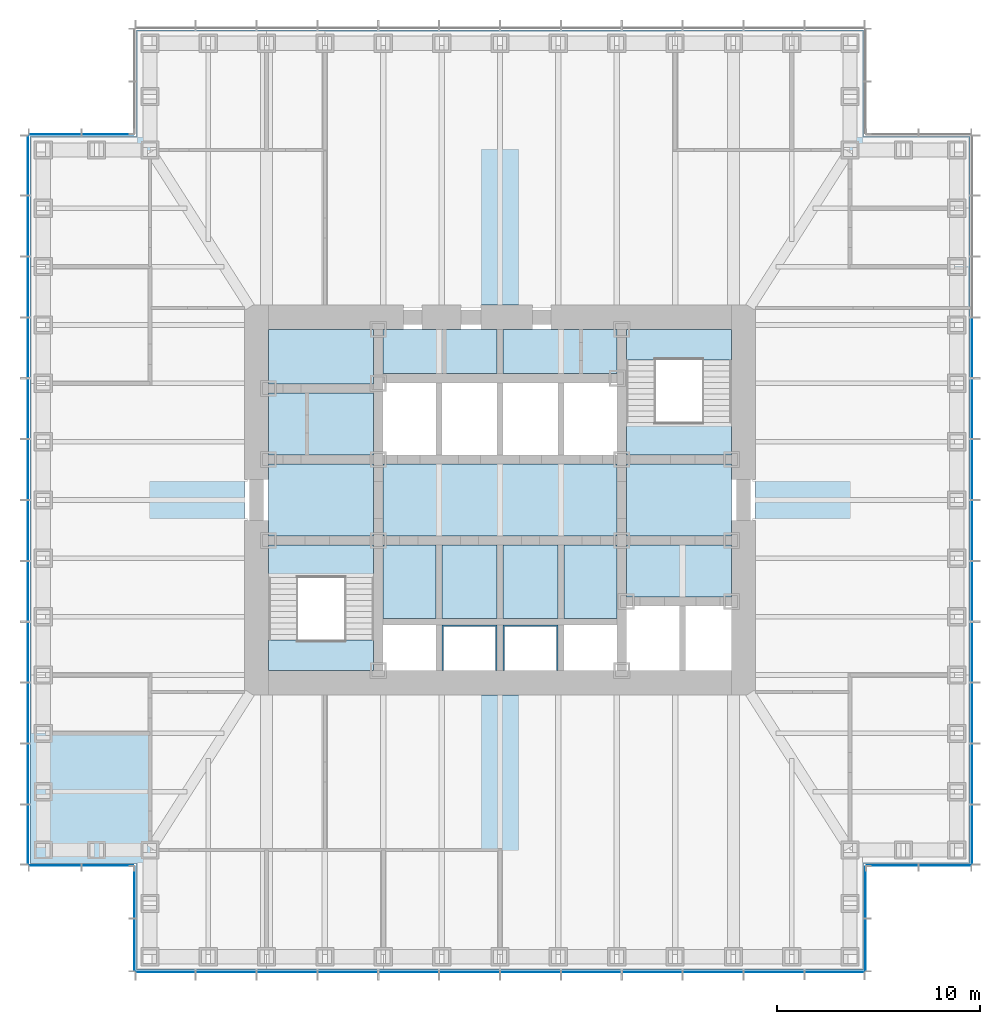
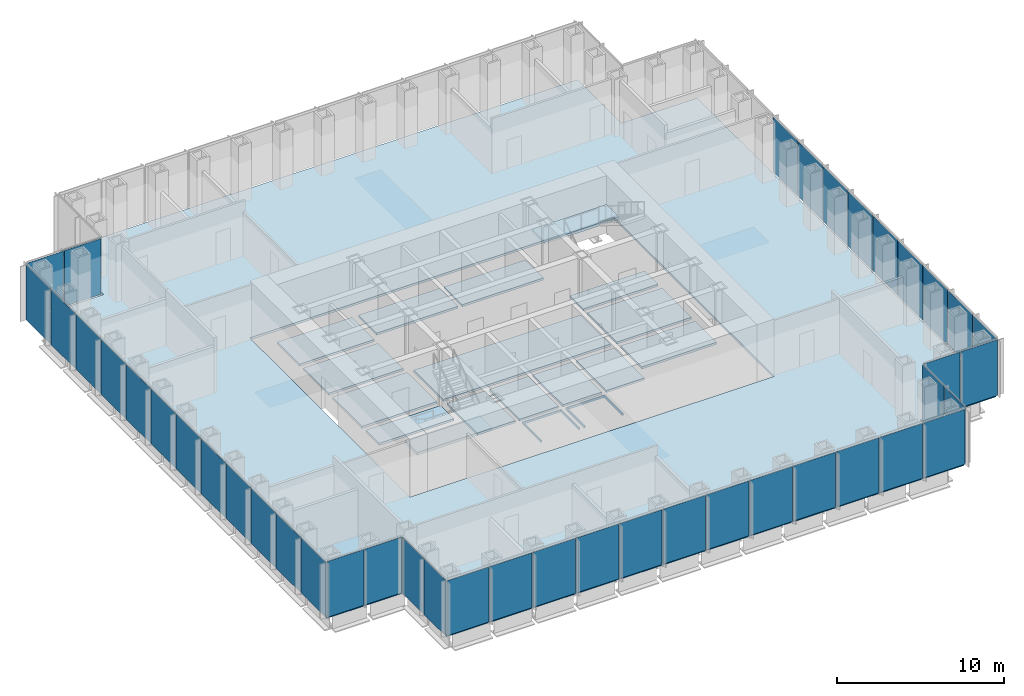
# One storey, part 7 of 16: 43 plates, 19 slabs, 10 elements without a shape of their own.
"""IFC4 building model written with IfcOpenShell, lengths in metres."""

from ifc_helpers import new_model, si_unit, direction, frame, origin, origin_2d, place, context, subcontext, project, spatial, polyline, rectangle, outline, extrude, material, layer, layer_set, type_object, element, aggregate, save


model = new_model("IFC4")

# Units and contexts
model_context = context("Model", 3, precision=1e-05, world=origin(), true_north=direction((0.0, 1.0)))
body_context = subcontext(model_context, "Body", "Model", "MODEL_VIEW")
ifc_project = project(units=[si_unit("LENGTHUNIT", "METRE"), si_unit("AREAUNIT", "SQUARE_METRE"), si_unit("VOLUMEUNIT", "CUBIC_METRE"), si_unit("PLANEANGLEUNIT", "RADIAN"), si_unit("MASSUNIT", "GRAM", prefix="KILO")], contexts=[model_context])

# Site, building, storey
site_placement = place(None, origin())
site = spatial("IfcSite", under=ifc_project, at=site_placement, CompositionType="ELEMENT")
building_placement = place(site_placement, origin())
building = spatial("IfcBuilding", under=site, at=building_placement, Name="Daluyong Arena Tower", CompositionType="ELEMENT")
storey_placement = place(building_placement, frame((0.0, 0.0, 162.699951171875)))
storey = spatial("IfcBuildingStorey", under=building, at=storey_placement, Name="L36", CompositionType="ELEMENT", Elevation=162.699951171875)

# Curtain wall, plates
ifc_material_1 = material(Name="Bronze anodised aluminium and glass", Category="aluminium")
curtain_wall_type_1 = type_object("IfcCurtainWallType", Name="Curtain wall CW2", PredefinedType="USERDEFINED", material=ifc_material_1)
curtain_wall_1_placement = place(storey_placement, origin())
curtain_wall_1 = element("IfcCurtainWall", 1, at=curtain_wall_1_placement, inside=storey, type_object=curtain_wall_type_1, Name="curtain wall L36 S", ObjectType="UNITISED CURTAIN WALL", PredefinedType="USERDEFINED")
ifc_material_2 = material(Name="Tinted double glazed unit", Category="glass")
ifc_layer_1 = layer(ifc_material_2, 0.031982421875)
ifc_layer_set_1 = layer_set([ifc_layer_1], Name="Tinted double glazed unit")
plate_type_1 = type_object("IfcPlateType", Name="CW2 panel 32", PredefinedType="CURTAIN_PANEL", material=ifc_layer_set_1)
plate_1_placement = place(storey_placement, frame((39.52001953125, 56.75, 0.0), z_axis=(0.0, 0.0, 1.0), x_axis=(1.0, 0.0, 0.0)))
plate_1 = element("IfcPlate", 2, at=plate_1_placement, type_object=plate_type_1, Name="curtain wall L36 S panel 1", PredefinedType="CURTAIN_PANEL", context=body_context, shape_type="SweptSolid", body=[
    extrude(rectangle(XDim=2.8798828125, YDim=0.031982421875, at=origin_2d()), origin(), (0.0, 0.0, 1.0), 4.02001953125),
])
plate_2_placement = place(storey_placement, frame((42.5, 56.75, 0.0), z_axis=(0.0, 0.0, 1.0), x_axis=(1.0, 0.0, 0.0)))
plate_2 = element("IfcPlate", 3, at=plate_2_placement, type_object=plate_type_1, Name="curtain wall L36 S panel 2", PredefinedType="CURTAIN_PANEL", context=body_context, shape_type="SweptSolid", body=[
    extrude(rectangle(XDim=2.919921875, YDim=0.031982421875, at=origin_2d()), origin(), (0.0, 0.0, 1.0), 4.02001953125),
])
plate_3_placement = place(storey_placement, frame((45.5, 56.75, 0.0), z_axis=(0.0, 0.0, 1.0), x_axis=(1.0, 0.0, 0.0)))
plate_3 = element("IfcPlate", 4, at=plate_3_placement, type_object=plate_type_1, Name="curtain wall L36 S panel 3", PredefinedType="CURTAIN_PANEL", context=body_context, shape_type="SweptSolid", body=[
    extrude(rectangle(XDim=2.919921875, YDim=0.031982421875, at=origin_2d()), origin(), (0.0, 0.0, 1.0), 4.02001953125),
])
plate_4_placement = place(storey_placement, frame((48.5, 56.75, 0.0), z_axis=(0.0, 0.0, 1.0), x_axis=(1.0, 0.0, 0.0)))
plate_4 = element("IfcPlate", 5, at=plate_4_placement, type_object=plate_type_1, Name="curtain wall L36 S panel 4", PredefinedType="CURTAIN_PANEL", context=body_context, shape_type="SweptSolid", body=[
    extrude(rectangle(XDim=2.919921875, YDim=0.031982421875, at=origin_2d()), origin(), (0.0, 0.0, 1.0), 4.02001953125),
])
plate_5_placement = place(storey_placement, frame((51.5, 56.75, 0.0), z_axis=(0.0, 0.0, 1.0), x_axis=(1.0, 0.0, 0.0)))
plate_5 = element("IfcPlate", 6, at=plate_5_placement, type_object=plate_type_1, Name="curtain wall L36 S panel 5", PredefinedType="CURTAIN_PANEL", context=body_context, shape_type="SweptSolid", body=[
    extrude(rectangle(XDim=2.919921875, YDim=0.031982421875, at=origin_2d()), origin(), (0.0, 0.0, 1.0), 4.02001953125),
])
plate_6_placement = place(storey_placement, frame((54.5, 56.75, 0.0), z_axis=(0.0, 0.0, 1.0), x_axis=(1.0, 0.0, 0.0)))
plate_6 = element("IfcPlate", 7, at=plate_6_placement, type_object=plate_type_1, Name="curtain wall L36 S panel 6", PredefinedType="CURTAIN_PANEL", context=body_context, shape_type="SweptSolid", body=[
    extrude(rectangle(XDim=2.919921875, YDim=0.031982421875, at=origin_2d()), origin(), (0.0, 0.0, 1.0), 4.02001953125),
])
plate_7_placement = place(storey_placement, frame((57.5, 56.75, 0.0), z_axis=(0.0, 0.0, 1.0), x_axis=(1.0, 0.0, 0.0)))
plate_7 = element("IfcPlate", 8, at=plate_7_placement, type_object=plate_type_1, Name="curtain wall L36 S panel 7", PredefinedType="CURTAIN_PANEL", context=body_context, shape_type="SweptSolid", body=[
    extrude(rectangle(XDim=2.919921875, YDim=0.031982421875, at=origin_2d()), origin(), (0.0, 0.0, 1.0), 4.02001953125),
])
plate_8_placement = place(storey_placement, frame((60.5, 56.75, 0.0), z_axis=(0.0, 0.0, 1.0), x_axis=(1.0, 0.0, 0.0)))
plate_8 = element("IfcPlate", 9, at=plate_8_placement, type_object=plate_type_1, Name="curtain wall L36 S panel 8", PredefinedType="CURTAIN_PANEL", context=body_context, shape_type="SweptSolid", body=[
    extrude(rectangle(XDim=2.919921875, YDim=0.031982421875, at=origin_2d()), origin(), (0.0, 0.0, 1.0), 4.02001953125),
])
plate_9_placement = place(storey_placement, frame((63.5, 56.75, 0.0), z_axis=(0.0, 0.0, 1.0), x_axis=(1.0, 0.0, 0.0)))
plate_9 = element("IfcPlate", 10, at=plate_9_placement, type_object=plate_type_1, Name="curtain wall L36 S panel 9", PredefinedType="CURTAIN_PANEL", context=body_context, shape_type="SweptSolid", body=[
    extrude(rectangle(XDim=2.919921875, YDim=0.031982421875, at=origin_2d()), origin(), (0.0, 0.0, 1.0), 4.02001953125),
])
plate_10_placement = place(storey_placement, frame((66.5, 56.75, 0.0), z_axis=(0.0, 0.0, 1.0), x_axis=(1.0, 0.0, 0.0)))
plate_10 = element("IfcPlate", 11, at=plate_10_placement, type_object=plate_type_1, Name="curtain wall L36 S panel 10", PredefinedType="CURTAIN_PANEL", context=body_context, shape_type="SweptSolid", body=[
    extrude(rectangle(XDim=2.919921875, YDim=0.031982421875, at=origin_2d()), origin(), (0.0, 0.0, 1.0), 4.02001953125),
])
plate_11_placement = place(storey_placement, frame((69.5, 56.75, 0.0), z_axis=(0.0, 0.0, 1.0), x_axis=(1.0, 0.0, 0.0)))
plate_11 = element("IfcPlate", 12, at=plate_11_placement, type_object=plate_type_1, Name="curtain wall L36 S panel 11", PredefinedType="CURTAIN_PANEL", context=body_context, shape_type="SweptSolid", body=[
    extrude(rectangle(XDim=2.919921875, YDim=0.031982421875, at=origin_2d()), origin(), (0.0, 0.0, 1.0), 4.02001953125),
])
plate_12_placement = place(storey_placement, frame((72.47998046875, 56.75, 0.0), z_axis=(0.0, 0.0, 1.0), x_axis=(1.0, 0.0, 0.0)))
plate_12 = element("IfcPlate", 13, at=plate_12_placement, type_object=plate_type_1, Name="curtain wall L36 S panel 12", PredefinedType="CURTAIN_PANEL", context=body_context, shape_type="SweptSolid", body=[
    extrude(rectangle(XDim=2.8798828125, YDim=0.031982421875, at=origin_2d()), origin(), (0.0, 0.0, 1.0), 4.02001953125),
])
aggregate(curtain_wall_1, [plate_1, plate_2, plate_3, plate_4, plate_5, plate_6, plate_7, plate_8, plate_9, plate_10, plate_11, plate_12])

curtain_wall_2_placement = place(storey_placement, origin())
curtain_wall_2 = element("IfcCurtainWall", 14, at=curtain_wall_2_placement, inside=storey, type_object=curtain_wall_type_1, Name="curtain wall L36 E", ObjectType="UNITISED CURTAIN WALL", PredefinedType="USERDEFINED")
plate_13_placement = place(storey_placement, frame((79.25, 63.52001953125, 0.0), z_axis=(0.0, 0.0, 1.0), x_axis=(0.0, 1.0, 0.0)))
plate_13 = element("IfcPlate", 15, at=plate_13_placement, type_object=plate_type_1, Name="curtain wall L36 E panel 1", PredefinedType="CURTAIN_PANEL", context=body_context, shape_type="SweptSolid", body=[
    extrude(rectangle(XDim=2.8798828125, YDim=0.031982421875, at=origin_2d()), origin(), (0.0, 0.0, 1.0), 4.02001953125),
])
plate_14_placement = place(storey_placement, frame((79.25, 66.5, 0.0), z_axis=(0.0, 0.0, 1.0), x_axis=(0.0, 1.0, 0.0)))
plate_14 = element("IfcPlate", 16, at=plate_14_placement, type_object=plate_type_1, Name="curtain wall L36 E panel 2", PredefinedType="CURTAIN_PANEL", context=body_context, shape_type="SweptSolid", body=[
    extrude(rectangle(XDim=2.919921875, YDim=0.031982421875, at=origin_2d()), origin(), (0.0, 0.0, 1.0), 4.02001953125),
])
plate_15_placement = place(storey_placement, frame((79.25, 69.5, 0.0), z_axis=(0.0, 0.0, 1.0), x_axis=(0.0, 1.0, 0.0)))
plate_15 = element("IfcPlate", 17, at=plate_15_placement, type_object=plate_type_1, Name="curtain wall L36 E panel 3", PredefinedType="CURTAIN_PANEL", context=body_context, shape_type="SweptSolid", body=[
    extrude(rectangle(XDim=2.919921875, YDim=0.031982421875, at=origin_2d()), origin(), (0.0, 0.0, 1.0), 4.02001953125),
])
plate_16_placement = place(storey_placement, frame((79.25, 72.5, 0.0), z_axis=(0.0, 0.0, 1.0), x_axis=(0.0, 1.0, 0.0)))
plate_16 = element("IfcPlate", 18, at=plate_16_placement, type_object=plate_type_1, Name="curtain wall L36 E panel 4", PredefinedType="CURTAIN_PANEL", context=body_context, shape_type="SweptSolid", body=[
    extrude(rectangle(XDim=2.919921875, YDim=0.031982421875, at=origin_2d()), origin(), (0.0, 0.0, 1.0), 4.02001953125),
])
plate_17_placement = place(storey_placement, frame((79.25, 75.5, 0.0), z_axis=(0.0, 0.0, 1.0), x_axis=(0.0, 1.0, 0.0)))
plate_17 = element("IfcPlate", 19, at=plate_17_placement, type_object=plate_type_1, Name="curtain wall L36 E panel 5", PredefinedType="CURTAIN_PANEL", context=body_context, shape_type="SweptSolid", body=[
    extrude(rectangle(XDim=2.919921875, YDim=0.031982421875, at=origin_2d()), origin(), (0.0, 0.0, 1.0), 4.02001953125),
])
plate_18_placement = place(storey_placement, frame((79.25, 78.5, 0.0), z_axis=(0.0, 0.0, 1.0), x_axis=(0.0, 1.0, 0.0)))
plate_18 = element("IfcPlate", 20, at=plate_18_placement, type_object=plate_type_1, Name="curtain wall L36 E panel 6", PredefinedType="CURTAIN_PANEL", context=body_context, shape_type="SweptSolid", body=[
    extrude(rectangle(XDim=2.919921875, YDim=0.031982421875, at=origin_2d()), origin(), (0.0, 0.0, 1.0), 4.02001953125),
])
plate_19_placement = place(storey_placement, frame((79.25, 81.5, 0.0), z_axis=(0.0, 0.0, 1.0), x_axis=(0.0, 1.0, 0.0)))
plate_19 = element("IfcPlate", 21, at=plate_19_placement, type_object=plate_type_1, Name="curtain wall L36 E panel 7", PredefinedType="CURTAIN_PANEL", context=body_context, shape_type="SweptSolid", body=[
    extrude(rectangle(XDim=2.919921875, YDim=0.031982421875, at=origin_2d()), origin(), (0.0, 0.0, 1.0), 4.02001953125),
])
plate_20_placement = place(storey_placement, frame((79.25, 84.5, 0.0), z_axis=(0.0, 0.0, 1.0), x_axis=(0.0, 1.0, 0.0)))
plate_20 = element("IfcPlate", 22, at=plate_20_placement, type_object=plate_type_1, Name="curtain wall L36 E panel 8", PredefinedType="CURTAIN_PANEL", context=body_context, shape_type="SweptSolid", body=[
    extrude(rectangle(XDim=2.919921875, YDim=0.031982421875, at=origin_2d()), origin(), (0.0, 0.0, 1.0), 4.02001953125),
])
plate_21_placement = place(storey_placement, frame((79.25, 87.5, 0.0), z_axis=(0.0, 0.0, 1.0), x_axis=(0.0, 1.0, 0.0)))
plate_21 = element("IfcPlate", 23, at=plate_21_placement, type_object=plate_type_1, Name="curtain wall L36 E panel 9", PredefinedType="CURTAIN_PANEL", context=body_context, shape_type="SweptSolid", body=[
    extrude(rectangle(XDim=2.919921875, YDim=0.031982421875, at=origin_2d()), origin(), (0.0, 0.0, 1.0), 4.02001953125),
])
aggregate(curtain_wall_2, [plate_13, plate_14, plate_15, plate_16, plate_17, plate_18, plate_19, plate_20, plate_21])

curtain_wall_3_placement = place(storey_placement, origin())
curtain_wall_3 = element("IfcCurtainWall", 24, at=curtain_wall_3_placement, inside=storey, type_object=curtain_wall_type_1, Name="curtain wall L36 W", ObjectType="UNITISED CURTAIN WALL", PredefinedType="USERDEFINED")
plate_22_placement = place(storey_placement, frame((32.75, 96.47998046875, 0.0), z_axis=(0.0, 0.0, 1.0), x_axis=(0.0, -1.0, 0.0)))
plate_22 = element("IfcPlate", 25, at=plate_22_placement, type_object=plate_type_1, Name="curtain wall L36 W panel 1", PredefinedType="CURTAIN_PANEL", context=body_context, shape_type="SweptSolid", body=[
    extrude(rectangle(XDim=2.8798828125, YDim=0.031982421875, at=origin_2d()), origin(), (0.0, 0.0, 1.0), 4.02001953125),
])
plate_23_placement = place(storey_placement, frame((32.75, 93.5, 0.0), z_axis=(0.0, 0.0, 1.0), x_axis=(0.0, -1.0, 0.0)))
plate_23 = element("IfcPlate", 26, at=plate_23_placement, type_object=plate_type_1, Name="curtain wall L36 W panel 2", PredefinedType="CURTAIN_PANEL", context=body_context, shape_type="SweptSolid", body=[
    extrude(rectangle(XDim=2.919921875, YDim=0.031982421875, at=origin_2d()), origin(), (0.0, 0.0, 1.0), 4.02001953125),
])
plate_24_placement = place(storey_placement, frame((32.75, 90.5, 0.0), z_axis=(0.0, 0.0, 1.0), x_axis=(0.0, -1.0, 0.0)))
plate_24 = element("IfcPlate", 27, at=plate_24_placement, type_object=plate_type_1, Name="curtain wall L36 W panel 3", PredefinedType="CURTAIN_PANEL", context=body_context, shape_type="SweptSolid", body=[
    extrude(rectangle(XDim=2.919921875, YDim=0.031982421875, at=origin_2d()), origin(), (0.0, 0.0, 1.0), 4.02001953125),
])
plate_25_placement = place(storey_placement, frame((32.75, 87.5, 0.0), z_axis=(0.0, 0.0, 1.0), x_axis=(0.0, -1.0, 0.0)))
plate_25 = element("IfcPlate", 28, at=plate_25_placement, type_object=plate_type_1, Name="curtain wall L36 W panel 4", PredefinedType="CURTAIN_PANEL", context=body_context, shape_type="SweptSolid", body=[
    extrude(rectangle(XDim=2.919921875, YDim=0.031982421875, at=origin_2d()), origin(), (0.0, 0.0, 1.0), 4.02001953125),
])
plate_26_placement = place(storey_placement, frame((32.75, 84.5, 0.0), z_axis=(0.0, 0.0, 1.0), x_axis=(0.0, -1.0, 0.0)))
plate_26 = element("IfcPlate", 29, at=plate_26_placement, type_object=plate_type_1, Name="curtain wall L36 W panel 5", PredefinedType="CURTAIN_PANEL", context=body_context, shape_type="SweptSolid", body=[
    extrude(rectangle(XDim=2.919921875, YDim=0.031982421875, at=origin_2d()), origin(), (0.0, 0.0, 1.0), 4.02001953125),
])
plate_27_placement = place(storey_placement, frame((32.75, 81.5, 0.0), z_axis=(0.0, 0.0, 1.0), x_axis=(0.0, -1.0, 0.0)))
plate_27 = element("IfcPlate", 30, at=plate_27_placement, type_object=plate_type_1, Name="curtain wall L36 W panel 6", PredefinedType="CURTAIN_PANEL", context=body_context, shape_type="SweptSolid", body=[
    extrude(rectangle(XDim=2.919921875, YDim=0.031982421875, at=origin_2d()), origin(), (0.0, 0.0, 1.0), 4.02001953125),
])
plate_28_placement = place(storey_placement, frame((32.75, 78.5, 0.0), z_axis=(0.0, 0.0, 1.0), x_axis=(0.0, -1.0, 0.0)))
plate_28 = element("IfcPlate", 31, at=plate_28_placement, type_object=plate_type_1, Name="curtain wall L36 W panel 7", PredefinedType="CURTAIN_PANEL", context=body_context, shape_type="SweptSolid", body=[
    extrude(rectangle(XDim=2.919921875, YDim=0.031982421875, at=origin_2d()), origin(), (0.0, 0.0, 1.0), 4.02001953125),
])
plate_29_placement = place(storey_placement, frame((32.75, 75.5, 0.0), z_axis=(0.0, 0.0, 1.0), x_axis=(0.0, -1.0, 0.0)))
plate_29 = element("IfcPlate", 32, at=plate_29_placement, type_object=plate_type_1, Name="curtain wall L36 W panel 8", PredefinedType="CURTAIN_PANEL", context=body_context, shape_type="SweptSolid", body=[
    extrude(rectangle(XDim=2.919921875, YDim=0.031982421875, at=origin_2d()), origin(), (0.0, 0.0, 1.0), 4.02001953125),
])
plate_30_placement = place(storey_placement, frame((32.75, 72.5, 0.0), z_axis=(0.0, 0.0, 1.0), x_axis=(0.0, -1.0, 0.0)))
plate_30 = element("IfcPlate", 33, at=plate_30_placement, type_object=plate_type_1, Name="curtain wall L36 W panel 9", PredefinedType="CURTAIN_PANEL", context=body_context, shape_type="SweptSolid", body=[
    extrude(rectangle(XDim=2.919921875, YDim=0.031982421875, at=origin_2d()), origin(), (0.0, 0.0, 1.0), 4.02001953125),
])
plate_31_placement = place(storey_placement, frame((32.75, 69.5, 0.0), z_axis=(0.0, 0.0, 1.0), x_axis=(0.0, -1.0, 0.0)))
plate_31 = element("IfcPlate", 34, at=plate_31_placement, type_object=plate_type_1, Name="curtain wall L36 W panel 10", PredefinedType="CURTAIN_PANEL", context=body_context, shape_type="SweptSolid", body=[
    extrude(rectangle(XDim=2.919921875, YDim=0.031982421875, at=origin_2d()), origin(), (0.0, 0.0, 1.0), 4.02001953125),
])
plate_32_placement = place(storey_placement, frame((32.75, 66.5, 0.0), z_axis=(0.0, 0.0, 1.0), x_axis=(0.0, -1.0, 0.0)))
plate_32 = element("IfcPlate", 35, at=plate_32_placement, type_object=plate_type_1, Name="curtain wall L36 W panel 11", PredefinedType="CURTAIN_PANEL", context=body_context, shape_type="SweptSolid", body=[
    extrude(rectangle(XDim=2.919921875, YDim=0.031982421875, at=origin_2d()), origin(), (0.0, 0.0, 1.0), 4.02001953125),
])
plate_33_placement = place(storey_placement, frame((32.75, 63.52001953125, 0.0), z_axis=(0.0, 0.0, 1.0), x_axis=(0.0, -1.0, 0.0)))
plate_33 = element("IfcPlate", 36, at=plate_33_placement, type_object=plate_type_1, Name="curtain wall L36 W panel 12", PredefinedType="CURTAIN_PANEL", context=body_context, shape_type="SweptSolid", body=[
    extrude(rectangle(XDim=2.8798828125, YDim=0.031982421875, at=origin_2d()), origin(), (0.0, 0.0, 1.0), 4.02001953125),
])
aggregate(curtain_wall_3, [plate_22, plate_23, plate_24, plate_25, plate_26, plate_27, plate_28, plate_29, plate_30, plate_31, plate_32, plate_33])

ifc_material_3 = material(Name="Bronze anodised aluminium and glass", Category="aluminium")
curtain_wall_type_2 = type_object("IfcCurtainWallType", Name="Curtain wall CW7", PredefinedType="USERDEFINED", material=ifc_material_3)
curtain_wall_4_placement = place(storey_placement, origin())
curtain_wall_4 = element("IfcCurtainWall", 37, at=curtain_wall_4_placement, inside=storey, type_object=curtain_wall_type_2, Name="curtain wall L36 SE-E", ObjectType="UNITISED CURTAIN WALL", PredefinedType="USERDEFINED")
ifc_material_4 = material(Name="Tinted double glazed unit", Category="glass")
ifc_layer_2 = layer(ifc_material_4, 0.028076171875)
ifc_layer_set_2 = layer_set([ifc_layer_2], Name="Tinted double glazed unit")
plate_type_2 = type_object("IfcPlateType", Name="CW7 panel 28", PredefinedType="CURTAIN_PANEL", material=ifc_layer_set_2)
plate_34_placement = place(storey_placement, frame((74.0, 58.077392578125, 0.0), z_axis=(0.0, 0.0, 1.0), x_axis=(0.0, 1.0, 0.0)))
plate_34 = element("IfcPlate", 38, at=plate_34_placement, type_object=plate_type_2, Name="curtain wall L36 SE-E panel 1", PredefinedType="CURTAIN_PANEL", context=body_context, shape_type="SweptSolid", body=[
    extrude(rectangle(XDim=2.534912109375, YDim=0.028076171875, at=origin_2d()), origin(), (0.0, 0.0, 1.0), 4.080078125),
])
plate_35_placement = place(storey_placement, frame((74.0, 60.672607421875, 0.0), z_axis=(0.0, 0.0, 1.0), x_axis=(0.0, 1.0, 0.0)))
plate_35 = element("IfcPlate", 39, at=plate_35_placement, type_object=plate_type_2, Name="curtain wall L36 SE-E panel 2", PredefinedType="CURTAIN_PANEL", context=body_context, shape_type="SweptSolid", body=[
    extrude(rectangle(XDim=2.534912109375, YDim=0.028076171875, at=origin_2d()), origin(), (0.0, 0.0, 1.0), 4.080078125),
])
aggregate(curtain_wall_4, [plate_34, plate_35])

curtain_wall_5_placement = place(storey_placement, origin())
curtain_wall_5 = element("IfcCurtainWall", 40, at=curtain_wall_5_placement, inside=storey, type_object=curtain_wall_type_2, Name="curtain wall L36 SE-S", ObjectType="UNITISED CURTAIN WALL", PredefinedType="USERDEFINED")
plate_36_placement = place(storey_placement, frame((75.327392578125, 62.0, 0.0), z_axis=(0.0, 0.0, 1.0), x_axis=(1.0, 0.0, 0.0)))
plate_36 = element("IfcPlate", 41, at=plate_36_placement, type_object=plate_type_2, Name="curtain wall L36 SE-S panel 1", PredefinedType="CURTAIN_PANEL", context=body_context, shape_type="SweptSolid", body=[
    extrude(rectangle(XDim=2.534912109375, YDim=0.028076171875, at=origin_2d()), origin(), (0.0, 0.0, 1.0), 4.080078125),
])
plate_37_placement = place(storey_placement, frame((77.922607421875, 62.0, 0.0), z_axis=(0.0, 0.0, 1.0), x_axis=(1.0, 0.0, 0.0)))
plate_37 = element("IfcPlate", 42, at=plate_37_placement, type_object=plate_type_2, Name="curtain wall L36 SE-S panel 2", PredefinedType="CURTAIN_PANEL", context=body_context, shape_type="SweptSolid", body=[
    extrude(rectangle(XDim=2.534912109375, YDim=0.028076171875, at=origin_2d()), origin(), (0.0, 0.0, 1.0), 4.080078125),
])
aggregate(curtain_wall_5, [plate_36, plate_37])

curtain_wall_6_placement = place(storey_placement, origin())
curtain_wall_6 = element("IfcCurtainWall", 43, at=curtain_wall_6_placement, inside=storey, type_object=curtain_wall_type_2, Name="curtain wall L36 NW-N", ObjectType="UNITISED CURTAIN WALL", PredefinedType="USERDEFINED")
plate_38_placement = place(storey_placement, frame((36.672607421875, 98.0, 0.0), z_axis=(0.0, 0.0, 1.0), x_axis=(-1.0, 0.0, 0.0)))
plate_38 = element("IfcPlate", 44, at=plate_38_placement, type_object=plate_type_2, Name="curtain wall L36 NW-N panel 1", PredefinedType="CURTAIN_PANEL", context=body_context, shape_type="SweptSolid", body=[
    extrude(rectangle(XDim=2.534912109375, YDim=0.028076171875, at=origin_2d()), origin(), (0.0, 0.0, 1.0), 4.080078125),
])
plate_39_placement = place(storey_placement, frame((34.077392578125, 98.0, 0.0), z_axis=(0.0, 0.0, 1.0), x_axis=(-1.0, 0.0, 0.0)))
plate_39 = element("IfcPlate", 45, at=plate_39_placement, type_object=plate_type_2, Name="curtain wall L36 NW-N panel 2", PredefinedType="CURTAIN_PANEL", context=body_context, shape_type="SweptSolid", body=[
    extrude(rectangle(XDim=2.534912109375, YDim=0.028076171875, at=origin_2d()), origin(), (0.0, 0.0, 1.0), 4.080078125),
])
aggregate(curtain_wall_6, [plate_38, plate_39])

curtain_wall_7_placement = place(storey_placement, origin())
curtain_wall_7 = element("IfcCurtainWall", 46, at=curtain_wall_7_placement, inside=storey, type_object=curtain_wall_type_2, Name="curtain wall L36 SW-S", ObjectType="UNITISED CURTAIN WALL", PredefinedType="USERDEFINED")
plate_40_placement = place(storey_placement, frame((34.077392578125, 62.0, 0.0), z_axis=(0.0, 0.0, 1.0), x_axis=(1.0, 0.0, 0.0)))
plate_40 = element("IfcPlate", 47, at=plate_40_placement, type_object=plate_type_2, Name="curtain wall L36 SW-S panel 1", PredefinedType="CURTAIN_PANEL", context=body_context, shape_type="SweptSolid", body=[
    extrude(rectangle(XDim=2.534912109375, YDim=0.028076171875, at=origin_2d()), origin(), (0.0, 0.0, 1.0), 4.080078125),
])
plate_41_placement = place(storey_placement, frame((36.672607421875, 62.0, 0.0), z_axis=(0.0, 0.0, 1.0), x_axis=(1.0, 0.0, 0.0)))
plate_41 = element("IfcPlate", 48, at=plate_41_placement, type_object=plate_type_2, Name="curtain wall L36 SW-S panel 2", PredefinedType="CURTAIN_PANEL", context=body_context, shape_type="SweptSolid", body=[
    extrude(rectangle(XDim=2.534912109375, YDim=0.028076171875, at=origin_2d()), origin(), (0.0, 0.0, 1.0), 4.080078125),
])
aggregate(curtain_wall_7, [plate_40, plate_41])

curtain_wall_8_placement = place(storey_placement, origin())
curtain_wall_8 = element("IfcCurtainWall", 49, at=curtain_wall_8_placement, inside=storey, type_object=curtain_wall_type_2, Name="curtain wall L36 SW-W", ObjectType="UNITISED CURTAIN WALL", PredefinedType="USERDEFINED")
plate_42_placement = place(storey_placement, frame((38.0, 60.672607421875, 0.0), z_axis=(0.0, 0.0, 1.0), x_axis=(0.0, -1.0, 0.0)))
plate_42 = element("IfcPlate", 50, at=plate_42_placement, type_object=plate_type_2, Name="curtain wall L36 SW-W panel 1", PredefinedType="CURTAIN_PANEL", context=body_context, shape_type="SweptSolid", body=[
    extrude(rectangle(XDim=2.534912109375, YDim=0.028076171875, at=origin_2d()), origin(), (0.0, 0.0, 1.0), 4.080078125),
])
plate_43_placement = place(storey_placement, frame((38.0, 58.077392578125, 0.0), z_axis=(0.0, 0.0, 1.0), x_axis=(0.0, -1.0, 0.0)))
plate_43 = element("IfcPlate", 51, at=plate_43_placement, type_object=plate_type_2, Name="curtain wall L36 SW-W panel 2", PredefinedType="CURTAIN_PANEL", context=body_context, shape_type="SweptSolid", body=[
    extrude(rectangle(XDim=2.534912109375, YDim=0.028076171875, at=origin_2d()), origin(), (0.0, 0.0, 1.0), 4.080078125),
])
aggregate(curtain_wall_8, [plate_42, plate_43])

# Stair, slab
ifc_material_5 = material(Name="Concrete fc' 35 MPa", Category="concrete")
stair_type = type_object("IfcStairType", Name="Core exit stair", PredefinedType="HALF_TURN_STAIR", material=ifc_material_5)
stair_1_placement = place(storey_placement, origin())
stair_1 = element("IfcStair", 52, at=stair_1_placement, inside=storey, type_object=stair_type, Name="exit stair A L36", PredefinedType="HALF_TURN_STAIR")
ifc_material_6 = material(Name="Concrete fc' 35 MPa", Category="concrete")
ifc_layer_3 = layer(ifc_material_6, 0.199951171875)
ifc_layer_set_3 = layer_set([ifc_layer_3], Name="Concrete fc' 35 MPa")
slab_type_1 = type_object("IfcSlabType", Name="Stair landing 200", PredefinedType="LANDING", material=ifc_layer_set_3)
slab_1_placement = place(storey_placement, frame((0.0, 0.0, 1.900146484375)))
slab_1 = element("IfcSlab", 53, at=slab_1_placement, type_object=slab_type_1, Name="STA landing 1", PredefinedType="LANDING", context=body_context, shape_type="SweptSolid", body=[
    extrude(outline(polyline([(44.60009765625, 71.60009765625), (49.77490234375, 71.60009765625), (49.77490234375, 73.094970703125), (44.60009765625, 73.094970703125), (44.60009765625, 71.60009765625)])), origin(), (0.0, 0.0, 1.0), 0.199951171875),
])
aggregate(stair_1, [slab_1])

stair_2_placement = place(storey_placement, origin())
stair_2 = element("IfcStair", 54, at=stair_2_placement, inside=storey, type_object=stair_type, Name="exit stair B L36", PredefinedType="HALF_TURN_STAIR")
slab_2_placement = place(storey_placement, frame((0.0, 0.0, 1.900146484375)))
slab_2 = element("IfcSlab", 55, at=slab_2_placement, type_object=slab_type_1, Name="STB landing 1", PredefinedType="LANDING", context=body_context, shape_type="SweptSolid", body=[
    extrude(outline(polyline([(62.22509765625, 86.905029296875), (67.39990234375, 86.905029296875), (67.39990234375, 88.39990234375), (62.22509765625, 88.39990234375), (62.22509765625, 86.905029296875)])), origin(), (0.0, 0.0, 1.0), 0.199951171875),
])
aggregate(stair_2, [slab_2])

# Slabs
ifc_material_7 = material(Name="Concrete fc' 35 MPa", Category="concrete")
ifc_layer_4 = layer(ifc_material_7, 0.159912109375)
ifc_layer_set_4 = layer_set([ifc_layer_4], Name="Concrete fc' 35 MPa")
slab_type_2 = type_object("IfcSlabType", Name="Tower floor slab 160", PredefinedType="FLOOR", material=ifc_layer_set_4)
slab_3_placement = place(storey_placement, frame((0.0, 0.0, -0.159912109375)))
element("IfcSlab", 56, at=slab_3_placement, inside=storey, type_object=slab_type_2, Name="floor L36 part 1", PredefinedType="FLOOR", context=body_context, shape_type="SweptSolid", body=[
    extrude(outline(polyline([(49.77490234375, 76.175048828125), (49.77490234375, 77.77490234375), (44.60009765625, 77.77490234375), (44.60009765625, 76.175048828125), (49.77490234375, 76.175048828125)])), origin(), (0.0, 0.0, 1.0), 0.159912109375),
])
slab_4_placement = place(storey_placement, frame((0.0, 0.0, -0.159912109375)))
element("IfcSlab", 57, at=slab_4_placement, inside=storey, type_object=slab_type_2, Name="floor L36 part 2", PredefinedType="FLOOR", context=body_context, shape_type="SweptSolid", body=[
    extrude(outline(polyline([(44.60009765625, 78.22509765625), (49.77490234375, 78.22509765625), (49.77490234375, 81.77490234375), (44.60009765625, 81.77490234375), (44.60009765625, 78.22509765625)])), origin(), (0.0, 0.0, 1.0), 0.159912109375),
])
slab_5_placement = place(storey_placement, frame((0.0, 0.0, -0.159912109375)))
element("IfcSlab", 58, at=slab_5_placement, inside=storey, type_object=slab_type_2, Name="floor L36 part 3", PredefinedType="FLOOR", context=body_context, shape_type="SweptSolid", body=[
    extrude(outline(polyline([(44.60009765625, 82.22509765625), (49.77490234375, 82.22509765625), (49.77490234375, 85.27490234375), (44.60009765625, 85.27490234375), (44.60009765625, 82.22509765625)])), origin(), (0.0, 0.0, 1.0), 0.159912109375),
])
slab_6_placement = place(storey_placement, frame((0.0, 0.0, -0.159912109375)))
element("IfcSlab", 59, at=slab_6_placement, inside=storey, type_object=slab_type_2, Name="floor L36 part 4", PredefinedType="FLOOR", context=body_context, shape_type="SweptSolid", body=[
    extrude(outline(polyline([(49.77490234375, 88.39990234375), (44.60009765625, 88.39990234375), (44.60009765625, 85.72509765625), (49.77490234375, 85.72509765625), (49.77490234375, 88.39990234375)])), origin(), (0.0, 0.0, 1.0), 0.159912109375),
])
slab_7_placement = place(storey_placement, frame((0.0, 0.0, -0.159912109375)))
element("IfcSlab", 60, at=slab_7_placement, inside=storey, type_object=slab_type_2, Name="floor L36 part 5", PredefinedType="FLOOR", context=body_context, shape_type="SweptSolid", body=[
    extrude(outline(polyline([(52.85009765625, 77.77490234375), (50.22509765625, 77.77490234375), (50.22509765625, 74.14990234375), (52.85009765625, 74.14990234375), (52.85009765625, 77.77490234375)])), origin(), (0.0, 0.0, 1.0), 0.159912109375),
])
slab_8_placement = place(storey_placement, frame((0.0, 0.0, -0.159912109375)))
element("IfcSlab", 61, at=slab_8_placement, inside=storey, type_object=slab_type_2, Name="floor L36 part 6", PredefinedType="FLOOR", context=body_context, shape_type="SweptSolid", body=[
    extrude(outline(polyline([(55.85009765625, 88.39990234375), (50.22509765625, 88.39990234375), (50.22509765625, 86.22509765625), (55.85009765625, 86.22509765625), (55.85009765625, 88.39990234375)])), origin(), (0.0, 0.0, 1.0), 0.159912109375),
])
slab_9_placement = place(storey_placement, frame((0.0, 0.0, -0.159912109375)))
element("IfcSlab", 62, at=slab_9_placement, inside=storey, type_object=slab_type_2, Name="floor L36 part 7", PredefinedType="FLOOR", context=body_context, shape_type="SweptSolid", body=[
    extrude(outline(polyline([(55.77490234375, 73.77490234375), (55.77490234375, 71.60009765625), (55.85009765625, 71.60009765625), (55.85009765625, 73.85009765625), (53.14990234375, 73.85009765625), (53.14990234375, 71.60009765625), (53.22509765625, 71.60009765625), (53.22509765625, 73.77490234375), (55.77490234375, 73.77490234375)])), origin(), (0.0, 0.0, 1.0), 0.159912109375),
])
slab_10_placement = place(storey_placement, frame((0.0, 0.0, -0.159912109375)))
element("IfcSlab", 63, at=slab_10_placement, inside=storey, type_object=slab_type_2, Name="floor L36 part 8", PredefinedType="FLOOR", context=body_context, shape_type="SweptSolid", body=[
    extrude(outline(polyline([(55.85009765625, 77.77490234375), (53.14990234375, 77.77490234375), (53.14990234375, 74.14990234375), (55.85009765625, 74.14990234375), (55.85009765625, 77.77490234375)])), origin(), (0.0, 0.0, 1.0), 0.159912109375),
])
slab_11_placement = place(storey_placement, frame((0.0, 0.0, -0.159912109375)))
element("IfcSlab", 64, at=slab_11_placement, inside=storey, type_object=slab_type_2, Name="floor L36 part 9", PredefinedType="FLOOR", context=body_context, shape_type="SweptSolid", body=[
    extrude(outline(polyline([(38.10009765625, 62.10009765625), (38.10009765625, 56.85009765625), (73.89990234375, 56.85009765625), (73.89990234375, 62.10009765625), (79.14990234375, 62.10009765625), (79.14990234375, 97.89990234375), (73.89990234375, 97.89990234375), (73.89990234375, 103.14990234375), (38.10009765625, 103.14990234375), (38.10009765625, 97.89990234375), (32.85009765625, 97.89990234375), (32.85009765625, 62.10009765625), (38.10009765625, 62.10009765625)]), holes=[polyline([(68.60009765625, 89.60009765625), (68.60009765625, 70.39990234375), (43.39990234375, 70.39990234375), (43.39990234375, 89.60009765625), (68.60009765625, 89.60009765625)])]), origin(), (0.0, 0.0, 1.0), 0.159912109375),
])
slab_12_placement = place(storey_placement, frame((0.0, 0.0, -0.159912109375)))
element("IfcSlab", 65, at=slab_12_placement, inside=storey, type_object=slab_type_2, Name="floor L36 part 10", PredefinedType="FLOOR", context=body_context, shape_type="SweptSolid", body=[
    extrude(outline(polyline([(61.77490234375, 78.22509765625), (61.77490234375, 81.77490234375), (50.22509765625, 81.77490234375), (50.22509765625, 78.22509765625), (61.77490234375, 78.22509765625)])), origin(), (0.0, 0.0, 1.0), 0.159912109375),
])
slab_13_placement = place(storey_placement, frame((0.0, 0.0, -0.159912109375)))
element("IfcSlab", 66, at=slab_13_placement, inside=storey, type_object=slab_type_2, Name="floor L36 part 11", PredefinedType="FLOOR", context=body_context, shape_type="SweptSolid", body=[
    extrude(outline(polyline([(58.85009765625, 71.60009765625), (58.85009765625, 73.85009765625), (56.14990234375, 73.85009765625), (56.14990234375, 71.60009765625), (56.22509765625, 71.60009765625), (56.22509765625, 73.77490234375), (58.77490234375, 73.77490234375), (58.77490234375, 71.60009765625), (58.85009765625, 71.60009765625)])), origin(), (0.0, 0.0, 1.0), 0.159912109375),
])
slab_14_placement = place(storey_placement, frame((0.0, 0.0, -0.159912109375)))
element("IfcSlab", 67, at=slab_14_placement, inside=storey, type_object=slab_type_2, Name="floor L36 part 12", PredefinedType="FLOOR", context=body_context, shape_type="SweptSolid", body=[
    extrude(outline(polyline([(58.85009765625, 77.77490234375), (56.14990234375, 77.77490234375), (56.14990234375, 74.14990234375), (58.85009765625, 74.14990234375), (58.85009765625, 77.77490234375)])), origin(), (0.0, 0.0, 1.0), 0.159912109375),
])
slab_15_placement = place(storey_placement, frame((0.0, 0.0, -0.159912109375)))
element("IfcSlab", 68, at=slab_15_placement, inside=storey, type_object=slab_type_2, Name="floor L36 part 13", PredefinedType="FLOOR", context=body_context, shape_type="SweptSolid", body=[
    extrude(outline(polyline([(56.14990234375, 88.39990234375), (56.14990234375, 86.22509765625), (61.77490234375, 86.22509765625), (61.77490234375, 88.39990234375), (56.14990234375, 88.39990234375)])), origin(), (0.0, 0.0, 1.0), 0.159912109375),
])
slab_16_placement = place(storey_placement, frame((0.0, 0.0, -0.159912109375)))
element("IfcSlab", 69, at=slab_16_placement, inside=storey, type_object=slab_type_2, Name="floor L36 part 14", PredefinedType="FLOOR", context=body_context, shape_type="SweptSolid", body=[
    extrude(outline(polyline([(59.14990234375, 77.77490234375), (59.14990234375, 74.14990234375), (61.77490234375, 74.14990234375), (61.77490234375, 77.77490234375), (59.14990234375, 77.77490234375)])), origin(), (0.0, 0.0, 1.0), 0.159912109375),
])
slab_17_placement = place(storey_placement, frame((0.0, 0.0, -0.159912109375)))
element("IfcSlab", 70, at=slab_17_placement, inside=storey, type_object=slab_type_2, Name="floor L36 part 15", PredefinedType="FLOOR", context=body_context, shape_type="SweptSolid", body=[
    extrude(outline(polyline([(62.22509765625, 75.22509765625), (67.39990234375, 75.22509765625), (67.39990234375, 77.77490234375), (62.22509765625, 77.77490234375), (62.22509765625, 75.22509765625)])), origin(), (0.0, 0.0, 1.0), 0.159912109375),
])
slab_18_placement = place(storey_placement, frame((0.0, 0.0, -0.159912109375)))
element("IfcSlab", 71, at=slab_18_placement, inside=storey, type_object=slab_type_2, Name="floor L36 part 16", PredefinedType="FLOOR", context=body_context, shape_type="SweptSolid", body=[
    extrude(outline(polyline([(62.22509765625, 78.22509765625), (67.39990234375, 78.22509765625), (67.39990234375, 81.77490234375), (62.22509765625, 81.77490234375), (62.22509765625, 78.22509765625)])), origin(), (0.0, 0.0, 1.0), 0.159912109375),
])
slab_19_placement = place(storey_placement, frame((0.0, 0.0, -0.159912109375)))
element("IfcSlab", 72, at=slab_19_placement, inside=storey, type_object=slab_type_2, Name="floor L36 part 17", PredefinedType="FLOOR", context=body_context, shape_type="SweptSolid", body=[
    extrude(outline(polyline([(62.22509765625, 82.22509765625), (67.39990234375, 82.22509765625), (67.39990234375, 83.824951171875), (62.22509765625, 83.824951171875), (62.22509765625, 82.22509765625)])), origin(), (0.0, 0.0, 1.0), 0.159912109375),
])

save(model, "model.ifc")
